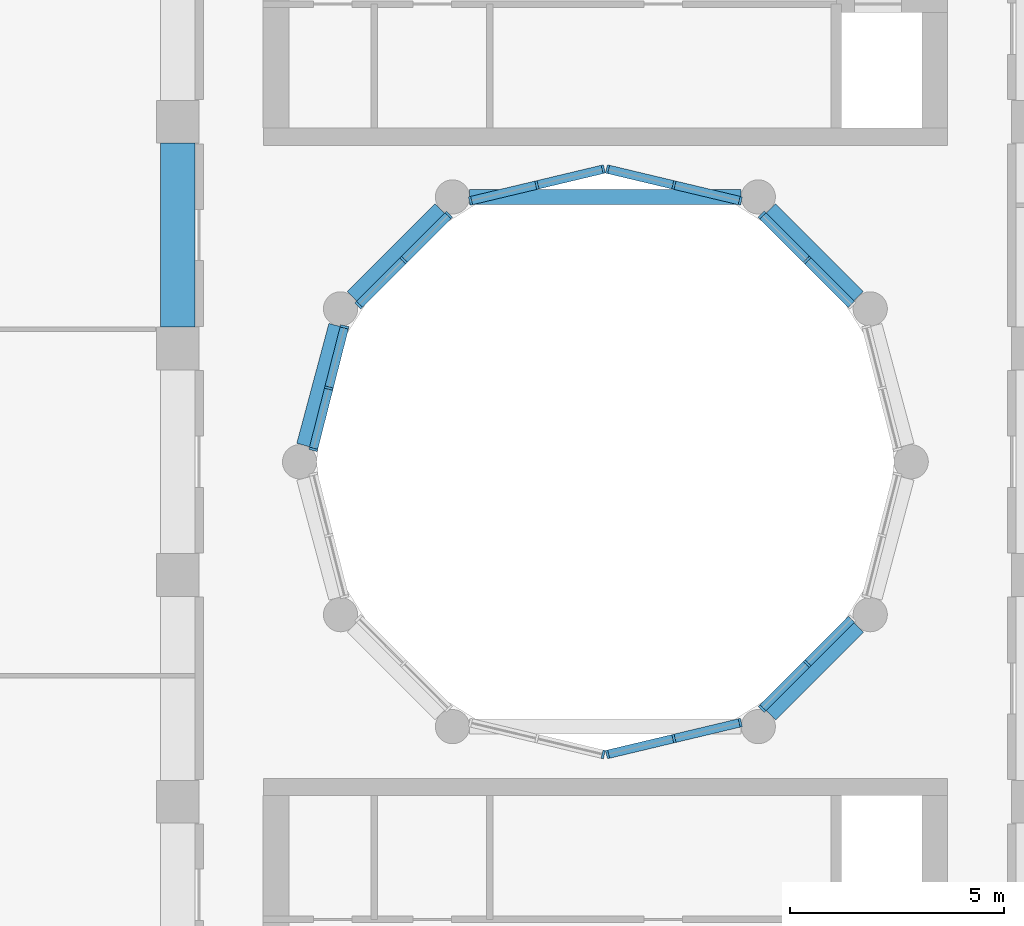
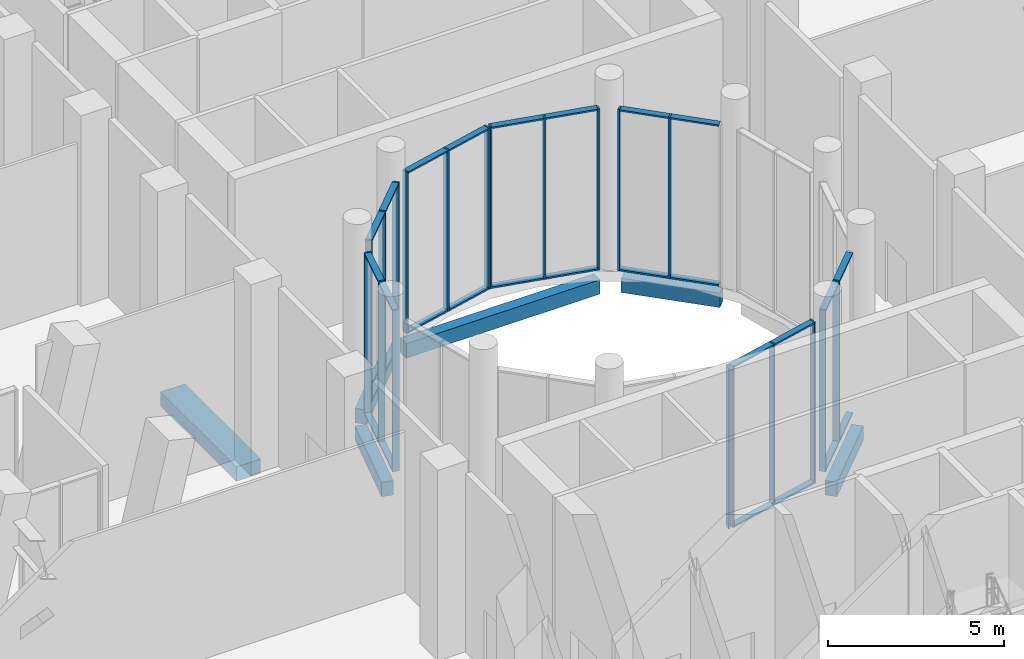
# One storey, part 3 of 19: 48 members, 6 beams, 8 elements without a shape of their own.
"""IFC4 building model written with IfcOpenShell, lengths in metres."""

from ifc_helpers import new_model, si_unit, direction, frame, origin, origin_2d, place, context, subcontext, project, spatial, rectangle, extrude, material, layer, layer_set, material_profile, profile_set, type_object, element, aggregate, save


model = new_model("IFC4")

# Units and contexts
model_context = context("Model", 3, precision=1e-05, world=origin(), true_north=direction((0.0, 1.0)))
body_context = subcontext(model_context, "Body", "Model", "MODEL_VIEW")
ifc_project = project(units=[si_unit("LENGTHUNIT", "METRE"), si_unit("AREAUNIT", "SQUARE_METRE"), si_unit("VOLUMEUNIT", "CUBIC_METRE"), si_unit("PLANEANGLEUNIT", "RADIAN"), si_unit("MASSUNIT", "GRAM", prefix="KILO")], contexts=[model_context])

# Site, building, storey
site_placement = place(None, origin())
site = spatial("IfcSite", under=ifc_project, at=site_placement, CompositionType="ELEMENT")
building_placement = place(site_placement, origin())
building = spatial("IfcBuilding", under=site, at=building_placement, Name="Nakaniwa Court", CompositionType="ELEMENT")
storey_placement = place(building_placement, frame((0.0, 0.0, 170.10009765625)))
storey = spatial("IfcBuildingStorey", under=building, at=storey_placement, Name="S3", CompositionType="ELEMENT", Elevation=170.10009765625)

# Curtain wall, members
ifc_material_1 = material(Name="Black anodised aluminium frame with dark low-E laminated double glazing", Category="aluminium")
ifc_layer = layer(ifc_material_1, 0.199951171875)
ifc_layer_set = layer_set([ifc_layer], Name="Black anodised aluminium frame with dark low-E laminated double glazing")
curtain_wall_type = type_object("IfcCurtainWallType", Name="Amenity and sky level curtain wall", PredefinedType="NOTDEFINED", material=ifc_layer_set)
curtain_wall_1_placement = place(storey_placement, origin())
curtain_wall_1 = element("IfcCurtainWall", 1, at=curtain_wall_1_placement, inside=storey, type_object=curtain_wall_type, Name="S3 curtain wall CW3 37", PredefinedType="NOTDEFINED")
ifc_material_2 = material(Name="Black anodised aluminium extrusion", Category="aluminium")
ifc_material_profile_1 = material_profile(ifc_material_2, rectangle(XDim=0.199951171875, YDim=0.054931640625, at=origin_2d()), Name="Amenity and sky level curtain wall mullion 55x200")
ifc_profile_set_1 = profile_set([ifc_material_profile_1], Name="Black anodised aluminium extrusion")
member_type_1 = type_object("IfcMemberType", Name="Amenity and sky level curtain wall mullion 55x200", PredefinedType="MULLION", material=ifc_profile_set_1)
member_1_placement = place(storey_placement, frame((84.715576171875, 75.284423828125, 0.0), z_axis=(0.0, 0.0, 1.0), x_axis=(0.707106781187, -0.707106781187, 0.0)))
member_1 = element("IfcMember", 2, at=member_1_placement, type_object=member_type_1, Name="CW3 mullion 2", PredefinedType="MULLION", context=body_context, shape_type="SweptSolid", body=[
    extrude(rectangle(XDim=0.199951171875, YDim=0.054931640625, at=origin_2d()), origin(), (0.0, 0.0, 1.0), 5.58984375),
])
member_2_placement = place(storey_placement, frame((83.66259765625, 74.2314453125, 0.0), z_axis=(0.0, 0.0, 1.0), x_axis=(0.707106781187, -0.707106781187, 0.0)))
member_2 = element("IfcMember", 3, at=member_2_placement, type_object=member_type_1, Name="CW3 mullion 3", PredefinedType="MULLION", context=body_context, shape_type="SweptSolid", body=[
    extrude(rectangle(XDim=0.199951171875, YDim=0.054931640625, at=origin_2d()), origin(), (0.0, 0.0, 1.0), 5.58984375),
])

curtain_wall_2_placement = place(storey_placement, origin())
curtain_wall_2 = element("IfcCurtainWall", 4, at=curtain_wall_2_placement, inside=storey, type_object=curtain_wall_type, Name="S3 curtain wall CW3 38", PredefinedType="NOTDEFINED")
member_3_placement = place(storey_placement, frame((83.153564453125, 73.898681640625, 0.0), z_axis=(0.0, 0.0, 1.0), x_axis=(0.231791306712, -0.972765537081, 0.0)))
member_3 = element("IfcMember", 5, at=member_3_placement, type_object=member_type_1, Name="CW3 mullion 1", PredefinedType="MULLION", context=body_context, shape_type="SweptSolid", body=[
    extrude(rectangle(XDim=0.199951171875, YDim=0.054931640625, at=origin_2d()), origin(), (0.0, 0.0, 1.0), 5.58984375),
])
member_4_placement = place(storey_placement, frame((81.601806640625, 73.52880859375, 0.0), z_axis=(0.0, 0.0, 1.0), x_axis=(0.231791306712, -0.972765537081, 0.0)))
member_4 = element("IfcMember", 6, at=member_4_placement, type_object=member_type_1, Name="CW3 mullion 2", PredefinedType="MULLION", context=body_context, shape_type="SweptSolid", body=[
    extrude(rectangle(XDim=0.199951171875, YDim=0.054931640625, at=origin_2d()), origin(), (0.0, 0.0, 1.0), 5.58984375),
])
member_5_placement = place(storey_placement, frame((80.050048828125, 73.1591796875, 0.0), z_axis=(0.0, 0.0, 1.0), x_axis=(0.231791306712, -0.972765537081, 0.0)))
member_5 = element("IfcMember", 7, at=member_5_placement, type_object=member_type_1, Name="CW3 mullion 3", PredefinedType="MULLION", context=body_context, shape_type="SweptSolid", body=[
    extrude(rectangle(XDim=0.199951171875, YDim=0.054931640625, at=origin_2d()), origin(), (0.0, 0.0, 1.0), 5.58984375),
])

# Curtain wall, member
curtain_wall_3_placement = place(storey_placement, origin())
curtain_wall_3 = element("IfcCurtainWall", 8, at=curtain_wall_3_placement, inside=storey, type_object=curtain_wall_type, Name="S3 curtain wall CW3 39", PredefinedType="NOTDEFINED")
member_6_placement = place(storey_placement, frame((79.949951171875, 73.1591796875, 0.0), z_axis=(0.0, 0.0, 1.0), x_axis=(-0.231791306712, -0.972765537081, 0.0)))
member_6 = element("IfcMember", 9, at=member_6_placement, type_object=member_type_1, Name="CW3 mullion 1", PredefinedType="MULLION", context=body_context, shape_type="SweptSolid", body=[
    extrude(rectangle(XDim=0.199951171875, YDim=0.054931640625, at=origin_2d()), origin(), (0.0, 0.0, 1.0), 5.58984375),
])
aggregate(curtain_wall_3, [member_6])

# Curtain wall, members
curtain_wall_4_placement = place(storey_placement, origin())
curtain_wall_4 = element("IfcCurtainWall", 10, at=curtain_wall_4_placement, inside=storey, type_object=curtain_wall_type, Name="S3 curtain wall CW3 42", PredefinedType="NOTDEFINED")
member_7_placement = place(storey_placement, frame((73.170654296875, 80.29052734375, 0.0), z_axis=(0.0, 0.0, 1.0), x_axis=(-0.968986463302, 0.247113807661, 0.0)))
member_7 = element("IfcMember", 11, at=member_7_placement, type_object=member_type_1, Name="CW3 mullion 1", PredefinedType="MULLION", context=body_context, shape_type="SweptSolid", body=[
    extrude(rectangle(XDim=0.199951171875, YDim=0.054931640625, at=origin_2d()), origin(), (0.0, 0.0, 1.0), 5.58984375),
])
member_8_placement = place(storey_placement, frame((73.53564453125, 81.72216796875, 0.0), z_axis=(0.0, 0.0, 1.0), x_axis=(-0.968986463302, 0.247113807661, 0.0)))
member_8 = element("IfcMember", 12, at=member_8_placement, type_object=member_type_1, Name="CW3 mullion 2", PredefinedType="MULLION", context=body_context, shape_type="SweptSolid", body=[
    extrude(rectangle(XDim=0.199951171875, YDim=0.054931640625, at=origin_2d()), origin(), (0.0, 0.0, 1.0), 5.58984375),
])
member_9_placement = place(storey_placement, frame((73.90087890625, 83.15380859375, 0.0), z_axis=(0.0, 0.0, 1.0), x_axis=(-0.968986463302, 0.247113807661, 0.0)))
member_9 = element("IfcMember", 13, at=member_9_placement, type_object=member_type_1, Name="CW3 mullion 3", PredefinedType="MULLION", context=body_context, shape_type="SweptSolid", body=[
    extrude(rectangle(XDim=0.199951171875, YDim=0.054931640625, at=origin_2d()), origin(), (0.0, 0.0, 1.0), 5.58984375),
])

curtain_wall_5_placement = place(storey_placement, origin())
curtain_wall_5 = element("IfcCurtainWall", 14, at=curtain_wall_5_placement, inside=storey, type_object=curtain_wall_type, Name="S3 curtain wall CW3 43", PredefinedType="NOTDEFINED")
member_10_placement = place(storey_placement, frame((74.2314453125, 83.66259765625, 0.0), z_axis=(0.0, 0.0, 1.0), x_axis=(-0.707106781187, 0.707106781187, 0.0)))
member_10 = element("IfcMember", 15, at=member_10_placement, type_object=member_type_1, Name="CW3 mullion 1", PredefinedType="MULLION", context=body_context, shape_type="SweptSolid", body=[
    extrude(rectangle(XDim=0.199951171875, YDim=0.054931640625, at=origin_2d()), origin(), (0.0, 0.0, 1.0), 5.58984375),
])
member_11_placement = place(storey_placement, frame((75.284423828125, 84.715576171875, 0.0), z_axis=(0.0, 0.0, 1.0), x_axis=(-0.707106781187, 0.707106781187, 0.0)))
member_11 = element("IfcMember", 16, at=member_11_placement, type_object=member_type_1, Name="CW3 mullion 2", PredefinedType="MULLION", context=body_context, shape_type="SweptSolid", body=[
    extrude(rectangle(XDim=0.199951171875, YDim=0.054931640625, at=origin_2d()), origin(), (0.0, 0.0, 1.0), 5.58984375),
])
member_12_placement = place(storey_placement, frame((76.33740234375, 85.7685546875, 0.0), z_axis=(0.0, 0.0, 1.0), x_axis=(-0.707106781187, 0.707106781187, 0.0)))
member_12 = element("IfcMember", 17, at=member_12_placement, type_object=member_type_1, Name="CW3 mullion 3", PredefinedType="MULLION", context=body_context, shape_type="SweptSolid", body=[
    extrude(rectangle(XDim=0.199951171875, YDim=0.054931640625, at=origin_2d()), origin(), (0.0, 0.0, 1.0), 5.58984375),
])

curtain_wall_6_placement = place(storey_placement, origin())
curtain_wall_6 = element("IfcCurtainWall", 18, at=curtain_wall_6_placement, inside=storey, type_object=curtain_wall_type, Name="S3 curtain wall CW3 44", PredefinedType="NOTDEFINED")
member_13_placement = place(storey_placement, frame((76.846435546875, 86.101318359375, 0.0), z_axis=(0.0, 0.0, 1.0), x_axis=(-0.231791306712, 0.972765537081, 0.0)))
member_13 = element("IfcMember", 19, at=member_13_placement, type_object=member_type_1, Name="CW3 mullion 1", PredefinedType="MULLION", context=body_context, shape_type="SweptSolid", body=[
    extrude(rectangle(XDim=0.199951171875, YDim=0.054931640625, at=origin_2d()), origin(), (0.0, 0.0, 1.0), 5.58984375),
])
member_14_placement = place(storey_placement, frame((78.398193359375, 86.47119140625, 0.0), z_axis=(0.0, 0.0, 1.0), x_axis=(-0.231791306712, 0.972765537081, 0.0)))
member_14 = element("IfcMember", 20, at=member_14_placement, type_object=member_type_1, Name="CW3 mullion 2", PredefinedType="MULLION", context=body_context, shape_type="SweptSolid", body=[
    extrude(rectangle(XDim=0.199951171875, YDim=0.054931640625, at=origin_2d()), origin(), (0.0, 0.0, 1.0), 5.58984375),
])
member_15_placement = place(storey_placement, frame((79.949951171875, 86.8408203125, 0.0), z_axis=(0.0, 0.0, 1.0), x_axis=(-0.231791306712, 0.972765537081, 0.0)))
member_15 = element("IfcMember", 21, at=member_15_placement, type_object=member_type_1, Name="CW3 mullion 3", PredefinedType="MULLION", context=body_context, shape_type="SweptSolid", body=[
    extrude(rectangle(XDim=0.199951171875, YDim=0.054931640625, at=origin_2d()), origin(), (0.0, 0.0, 1.0), 5.58984375),
])

curtain_wall_7_placement = place(storey_placement, origin())
curtain_wall_7 = element("IfcCurtainWall", 22, at=curtain_wall_7_placement, inside=storey, type_object=curtain_wall_type, Name="S3 curtain wall CW3 45", PredefinedType="NOTDEFINED")
member_16_placement = place(storey_placement, frame((80.050048828125, 86.8408203125, 0.0), z_axis=(0.0, 0.0, 1.0), x_axis=(0.231791306712, 0.972765537081, 0.0)))
member_16 = element("IfcMember", 23, at=member_16_placement, type_object=member_type_1, Name="CW3 mullion 1", PredefinedType="MULLION", context=body_context, shape_type="SweptSolid", body=[
    extrude(rectangle(XDim=0.199951171875, YDim=0.054931640625, at=origin_2d()), origin(), (0.0, 0.0, 1.0), 5.58984375),
])
member_17_placement = place(storey_placement, frame((81.601806640625, 86.47119140625, 0.0), z_axis=(0.0, 0.0, 1.0), x_axis=(0.231791306712, 0.972765537081, 0.0)))
member_17 = element("IfcMember", 24, at=member_17_placement, type_object=member_type_1, Name="CW3 mullion 2", PredefinedType="MULLION", context=body_context, shape_type="SweptSolid", body=[
    extrude(rectangle(XDim=0.199951171875, YDim=0.054931640625, at=origin_2d()), origin(), (0.0, 0.0, 1.0), 5.58984375),
])
member_18_placement = place(storey_placement, frame((83.153564453125, 86.101318359375, 0.0), z_axis=(0.0, 0.0, 1.0), x_axis=(0.231791306712, 0.972765537081, 0.0)))
member_18 = element("IfcMember", 25, at=member_18_placement, type_object=member_type_1, Name="CW3 mullion 3", PredefinedType="MULLION", context=body_context, shape_type="SweptSolid", body=[
    extrude(rectangle(XDim=0.199951171875, YDim=0.054931640625, at=origin_2d()), origin(), (0.0, 0.0, 1.0), 5.58984375),
])

curtain_wall_8_placement = place(storey_placement, origin())
curtain_wall_8 = element("IfcCurtainWall", 26, at=curtain_wall_8_placement, inside=storey, type_object=curtain_wall_type, Name="S3 curtain wall CW3 46", PredefinedType="NOTDEFINED")
member_19_placement = place(storey_placement, frame((83.66259765625, 85.7685546875, 0.0), z_axis=(0.0, 0.0, 1.0), x_axis=(0.707106781187, 0.707106781187, 0.0)))
member_19 = element("IfcMember", 27, at=member_19_placement, type_object=member_type_1, Name="CW3 mullion 1", PredefinedType="MULLION", context=body_context, shape_type="SweptSolid", body=[
    extrude(rectangle(XDim=0.199951171875, YDim=0.054931640625, at=origin_2d()), origin(), (0.0, 0.0, 1.0), 5.58984375),
])
member_20_placement = place(storey_placement, frame((84.715576171875, 84.715576171875, 0.0), z_axis=(0.0, 0.0, 1.0), x_axis=(0.707106781187, 0.707106781187, 0.0)))
member_20 = element("IfcMember", 28, at=member_20_placement, type_object=member_type_1, Name="CW3 mullion 2", PredefinedType="MULLION", context=body_context, shape_type="SweptSolid", body=[
    extrude(rectangle(XDim=0.199951171875, YDim=0.054931640625, at=origin_2d()), origin(), (0.0, 0.0, 1.0), 5.58984375),
])

# Member
ifc_material_profile_2 = material_profile(ifc_material_2, rectangle(XDim=0.199951171875, YDim=0.054931640625, at=origin_2d()), Name="Amenity and sky level curtain wall transom 55x200")
ifc_profile_set_2 = profile_set([ifc_material_profile_2], Name="Black anodised aluminium extrusion")
member_type_2 = type_object("IfcMemberType", Name="Amenity and sky level curtain wall transom 55x200", PredefinedType="USERDEFINED", material=ifc_profile_set_2)
member_21_placement = place(storey_placement, frame((85.7490234375, 76.31787109375, 0.02734375), z_axis=(-0.707106781187, -0.707106781187, 0.0), x_axis=(0.707106781187, -0.707106781187, 0.0)))
member_21 = element("IfcMember", 29, at=member_21_placement, type_object=member_type_2, Name="CW3 transom 1.1", ObjectType="TRANSOM", PredefinedType="USERDEFINED", context=body_context, shape_type="SweptSolid", body=[
    extrude(rectangle(XDim=0.199951171875, YDim=0.054931640625, at=origin_2d()), origin(), (0.0, 0.0, 1.0), 1.433837890625),
])

member_22_placement = place(storey_placement, frame((85.7490234375, 76.31787109375, 5.5625), z_axis=(-0.707106781187, -0.707106781187, 0.0), x_axis=(0.707106781187, -0.707106781187, 0.0)))
member_22 = element("IfcMember", 30, at=member_22_placement, type_object=member_type_2, Name="CW3 transom 1.2", ObjectType="TRANSOM", PredefinedType="USERDEFINED", context=body_context, shape_type="SweptSolid", body=[
    extrude(rectangle(XDim=0.199951171875, YDim=0.054931640625, at=origin_2d()), origin(), (0.0, 0.0, 1.0), 1.433837890625),
])

member_23_placement = place(storey_placement, frame((84.696044921875, 75.264892578125, 0.02734375), z_axis=(-0.707106781187, -0.707106781187, 0.0), x_axis=(0.707106781187, -0.707106781187, 0.0)))
member_23 = element("IfcMember", 31, at=member_23_placement, type_object=member_type_2, Name="CW3 transom 2.1", ObjectType="TRANSOM", PredefinedType="USERDEFINED", context=body_context, shape_type="SweptSolid", body=[
    extrude(rectangle(XDim=0.199951171875, YDim=0.054931640625, at=origin_2d()), origin(), (0.0, 0.0, 1.0), 1.433837890625),
])

member_24_placement = place(storey_placement, frame((84.696044921875, 75.264892578125, 5.5625), z_axis=(-0.707106781187, -0.707106781187, 0.0), x_axis=(0.707106781187, -0.707106781187, 0.0)))
member_24 = element("IfcMember", 32, at=member_24_placement, type_object=member_type_2, Name="CW3 transom 2.2", ObjectType="TRANSOM", PredefinedType="USERDEFINED", context=body_context, shape_type="SweptSolid", body=[
    extrude(rectangle(XDim=0.199951171875, YDim=0.054931640625, at=origin_2d()), origin(), (0.0, 0.0, 1.0), 1.433837890625),
])

aggregate(curtain_wall_1, [member_1, member_2, member_21, member_22, member_23, member_24])

member_25_placement = place(storey_placement, frame((83.126953125, 73.892333984375, 0.02734375), z_axis=(-0.972741550558, -0.231891948585, 0.0), x_axis=(0.231891948585, -0.972741550558, 0.0)))
member_25 = element("IfcMember", 33, at=member_25_placement, type_object=member_type_2, Name="CW3 transom 1.1", ObjectType="TRANSOM", PredefinedType="USERDEFINED", context=body_context, shape_type="SweptSolid", body=[
    extrude(rectangle(XDim=0.199951171875, YDim=0.054931640625, at=origin_2d()), origin(), (0.0, 0.0, 1.0), 1.540283203125),
])

member_26_placement = place(storey_placement, frame((83.126953125, 73.892333984375, 5.5625), z_axis=(-0.972741550558, -0.231891948585, 0.0), x_axis=(0.231891948585, -0.972741550558, 0.0)))
member_26 = element("IfcMember", 34, at=member_26_placement, type_object=member_type_2, Name="CW3 transom 1.2", ObjectType="TRANSOM", PredefinedType="USERDEFINED", context=body_context, shape_type="SweptSolid", body=[
    extrude(rectangle(XDim=0.199951171875, YDim=0.054931640625, at=origin_2d()), origin(), (0.0, 0.0, 1.0), 1.540283203125),
])

member_27_placement = place(storey_placement, frame((81.574951171875, 73.5224609375, 0.02734375), z_axis=(-0.972777294296, -0.231741959306, 0.0), x_axis=(0.231741959306, -0.972777294296, 0.0)))
member_27 = element("IfcMember", 35, at=member_27_placement, type_object=member_type_2, Name="CW3 transom 2.1", ObjectType="TRANSOM", PredefinedType="USERDEFINED", context=body_context, shape_type="SweptSolid", body=[
    extrude(rectangle(XDim=0.199951171875, YDim=0.054931640625, at=origin_2d()), origin(), (0.0, 0.0, 1.0), 1.540283203125),
])

member_28_placement = place(storey_placement, frame((81.574951171875, 73.5224609375, 5.5625), z_axis=(-0.972777294296, -0.231741959306, 0.0), x_axis=(0.231741959306, -0.972777294296, 0.0)))
member_28 = element("IfcMember", 36, at=member_28_placement, type_object=member_type_2, Name="CW3 transom 2.2", ObjectType="TRANSOM", PredefinedType="USERDEFINED", context=body_context, shape_type="SweptSolid", body=[
    extrude(rectangle(XDim=0.199951171875, YDim=0.054931640625, at=origin_2d()), origin(), (0.0, 0.0, 1.0), 1.540283203125),
])

aggregate(curtain_wall_2, [member_3, member_4, member_5, member_25, member_26, member_27, member_28])

member_29_placement = place(storey_placement, frame((73.177490234375, 80.317138671875, 0.02734375), z_axis=(0.24697526524, 0.969021784255, 0.0), x_axis=(-0.969021784255, 0.24697526524, 0.0)))
member_29 = element("IfcMember", 37, at=member_29_placement, type_object=member_type_2, Name="CW3 transom 1.1", ObjectType="TRANSOM", PredefinedType="USERDEFINED", context=body_context, shape_type="SweptSolid", body=[
    extrude(rectangle(XDim=0.199951171875, YDim=0.054931640625, at=origin_2d()), origin(), (0.0, 0.0, 1.0), 1.42236328125),
])

member_30_placement = place(storey_placement, frame((73.177490234375, 80.317138671875, 5.5625), z_axis=(0.24697526524, 0.969021784255, 0.0), x_axis=(-0.969021784255, 0.24697526524, 0.0)))
member_30 = element("IfcMember", 38, at=member_30_placement, type_object=member_type_2, Name="CW3 transom 1.2", ObjectType="TRANSOM", PredefinedType="USERDEFINED", context=body_context, shape_type="SweptSolid", body=[
    extrude(rectangle(XDim=0.199951171875, YDim=0.054931640625, at=origin_2d()), origin(), (0.0, 0.0, 1.0), 1.42236328125),
])

member_31_placement = place(storey_placement, frame((73.54248046875, 81.748779296875, 0.02734375), z_axis=(0.247136415914, 0.968980697398, 0.0), x_axis=(-0.968980697398, 0.247136415914, 0.0)))
member_31 = element("IfcMember", 39, at=member_31_placement, type_object=member_type_2, Name="CW3 transom 2.1", ObjectType="TRANSOM", PredefinedType="USERDEFINED", context=body_context, shape_type="SweptSolid", body=[
    extrude(rectangle(XDim=0.199951171875, YDim=0.054931640625, at=origin_2d()), origin(), (0.0, 0.0, 1.0), 1.422607421875),
])

member_32_placement = place(storey_placement, frame((73.54248046875, 81.748779296875, 5.5625), z_axis=(0.247136415914, 0.968980697398, 0.0), x_axis=(-0.968980697398, 0.247136415914, 0.0)))
member_32 = element("IfcMember", 40, at=member_32_placement, type_object=member_type_2, Name="CW3 transom 2.2", ObjectType="TRANSOM", PredefinedType="USERDEFINED", context=body_context, shape_type="SweptSolid", body=[
    extrude(rectangle(XDim=0.199951171875, YDim=0.054931640625, at=origin_2d()), origin(), (0.0, 0.0, 1.0), 1.422607421875),
])

aggregate(curtain_wall_4, [member_7, member_8, member_9, member_29, member_30, member_31, member_32])

member_33_placement = place(storey_placement, frame((74.2509765625, 83.68212890625, 0.02734375), z_axis=(0.707106781187, 0.707106781187, 0.0), x_axis=(-0.707106781187, 0.707106781187, 0.0)))
member_33 = element("IfcMember", 41, at=member_33_placement, type_object=member_type_2, Name="CW3 transom 1.1", ObjectType="TRANSOM", PredefinedType="USERDEFINED", context=body_context, shape_type="SweptSolid", body=[
    extrude(rectangle(XDim=0.199951171875, YDim=0.054931640625, at=origin_2d()), origin(), (0.0, 0.0, 1.0), 1.433837890625),
])

member_34_placement = place(storey_placement, frame((74.2509765625, 83.68212890625, 5.5625), z_axis=(0.707106781187, 0.707106781187, 0.0), x_axis=(-0.707106781187, 0.707106781187, 0.0)))
member_34 = element("IfcMember", 42, at=member_34_placement, type_object=member_type_2, Name="CW3 transom 1.2", ObjectType="TRANSOM", PredefinedType="USERDEFINED", context=body_context, shape_type="SweptSolid", body=[
    extrude(rectangle(XDim=0.199951171875, YDim=0.054931640625, at=origin_2d()), origin(), (0.0, 0.0, 1.0), 1.433837890625),
])

member_35_placement = place(storey_placement, frame((75.303955078125, 84.735107421875, 0.02734375), z_axis=(0.707106781187, 0.707106781187, 0.0), x_axis=(-0.707106781187, 0.707106781187, 0.0)))
member_35 = element("IfcMember", 43, at=member_35_placement, type_object=member_type_2, Name="CW3 transom 2.1", ObjectType="TRANSOM", PredefinedType="USERDEFINED", context=body_context, shape_type="SweptSolid", body=[
    extrude(rectangle(XDim=0.199951171875, YDim=0.054931640625, at=origin_2d()), origin(), (0.0, 0.0, 1.0), 1.433837890625),
])

member_36_placement = place(storey_placement, frame((75.303955078125, 84.735107421875, 5.5625), z_axis=(0.707106781187, 0.707106781187, 0.0), x_axis=(-0.707106781187, 0.707106781187, 0.0)))
member_36 = element("IfcMember", 44, at=member_36_placement, type_object=member_type_2, Name="CW3 transom 2.2", ObjectType="TRANSOM", PredefinedType="USERDEFINED", context=body_context, shape_type="SweptSolid", body=[
    extrude(rectangle(XDim=0.199951171875, YDim=0.054931640625, at=origin_2d()), origin(), (0.0, 0.0, 1.0), 1.433837890625),
])

aggregate(curtain_wall_5, [member_10, member_11, member_12, member_33, member_34, member_35, member_36])

member_37_placement = place(storey_placement, frame((76.873046875, 86.107666015625, 0.02734375), z_axis=(0.972741550558, 0.231891948585, 0.0), x_axis=(-0.231891948585, 0.972741550558, 0.0)))
member_37 = element("IfcMember", 45, at=member_37_placement, type_object=member_type_2, Name="CW3 transom 1.1", ObjectType="TRANSOM", PredefinedType="USERDEFINED", context=body_context, shape_type="SweptSolid", body=[
    extrude(rectangle(XDim=0.199951171875, YDim=0.054931640625, at=origin_2d()), origin(), (0.0, 0.0, 1.0), 1.540283203125),
])

member_38_placement = place(storey_placement, frame((76.873046875, 86.107666015625, 5.5625), z_axis=(0.972741550558, 0.231891948585, 0.0), x_axis=(-0.231891948585, 0.972741550558, 0.0)))
member_38 = element("IfcMember", 46, at=member_38_placement, type_object=member_type_2, Name="CW3 transom 1.2", ObjectType="TRANSOM", PredefinedType="USERDEFINED", context=body_context, shape_type="SweptSolid", body=[
    extrude(rectangle(XDim=0.199951171875, YDim=0.054931640625, at=origin_2d()), origin(), (0.0, 0.0, 1.0), 1.540283203125),
])

member_39_placement = place(storey_placement, frame((78.425048828125, 86.4775390625, 0.02734375), z_axis=(0.972777294296, 0.231741959306, 0.0), x_axis=(-0.231741959306, 0.972777294296, 0.0)))
member_39 = element("IfcMember", 47, at=member_39_placement, type_object=member_type_2, Name="CW3 transom 2.1", ObjectType="TRANSOM", PredefinedType="USERDEFINED", context=body_context, shape_type="SweptSolid", body=[
    extrude(rectangle(XDim=0.199951171875, YDim=0.054931640625, at=origin_2d()), origin(), (0.0, 0.0, 1.0), 1.540283203125),
])

member_40_placement = place(storey_placement, frame((78.425048828125, 86.4775390625, 5.5625), z_axis=(0.972777294296, 0.231741959306, 0.0), x_axis=(-0.231741959306, 0.972777294296, 0.0)))
member_40 = element("IfcMember", 48, at=member_40_placement, type_object=member_type_2, Name="CW3 transom 2.2", ObjectType="TRANSOM", PredefinedType="USERDEFINED", context=body_context, shape_type="SweptSolid", body=[
    extrude(rectangle(XDim=0.199951171875, YDim=0.054931640625, at=origin_2d()), origin(), (0.0, 0.0, 1.0), 1.540283203125),
])

aggregate(curtain_wall_6, [member_13, member_14, member_15, member_37, member_38, member_39, member_40])

member_41_placement = place(storey_placement, frame((80.07666015625, 86.83447265625, 0.02734375), z_axis=(0.972777294296, -0.231741959306, 0.0), x_axis=(0.231741959306, 0.972777294296, 0.0)))
member_41 = element("IfcMember", 49, at=member_41_placement, type_object=member_type_2, Name="CW3 transom 1.1", ObjectType="TRANSOM", PredefinedType="USERDEFINED", context=body_context, shape_type="SweptSolid", body=[
    extrude(rectangle(XDim=0.199951171875, YDim=0.054931640625, at=origin_2d()), origin(), (0.0, 0.0, 1.0), 1.540283203125),
])

member_42_placement = place(storey_placement, frame((80.07666015625, 86.83447265625, 5.5625), z_axis=(0.972777294296, -0.231741959306, 0.0), x_axis=(0.231741959306, 0.972777294296, 0.0)))
member_42 = element("IfcMember", 50, at=member_42_placement, type_object=member_type_2, Name="CW3 transom 1.2", ObjectType="TRANSOM", PredefinedType="USERDEFINED", context=body_context, shape_type="SweptSolid", body=[
    extrude(rectangle(XDim=0.199951171875, YDim=0.054931640625, at=origin_2d()), origin(), (0.0, 0.0, 1.0), 1.540283203125),
])

member_43_placement = place(storey_placement, frame((81.628662109375, 86.46484375, 0.02734375), z_axis=(0.972741550558, -0.231891948585, 0.0), x_axis=(0.231891948585, 0.972741550558, 0.0)))
member_43 = element("IfcMember", 51, at=member_43_placement, type_object=member_type_2, Name="CW3 transom 2.1", ObjectType="TRANSOM", PredefinedType="USERDEFINED", context=body_context, shape_type="SweptSolid", body=[
    extrude(rectangle(XDim=0.199951171875, YDim=0.054931640625, at=origin_2d()), origin(), (0.0, 0.0, 1.0), 1.540283203125),
])

member_44_placement = place(storey_placement, frame((81.628662109375, 86.46484375, 5.5625), z_axis=(0.972741550558, -0.231891948585, 0.0), x_axis=(0.231891948585, 0.972741550558, 0.0)))
member_44 = element("IfcMember", 52, at=member_44_placement, type_object=member_type_2, Name="CW3 transom 2.2", ObjectType="TRANSOM", PredefinedType="USERDEFINED", context=body_context, shape_type="SweptSolid", body=[
    extrude(rectangle(XDim=0.199951171875, YDim=0.054931640625, at=origin_2d()), origin(), (0.0, 0.0, 1.0), 1.540283203125),
])

aggregate(curtain_wall_7, [member_16, member_17, member_18, member_41, member_42, member_43, member_44])

member_45_placement = place(storey_placement, frame((83.68212890625, 85.7490234375, 0.02734375), z_axis=(0.707106781187, -0.707106781187, 0.0), x_axis=(0.707106781187, 0.707106781187, 0.0)))
member_45 = element("IfcMember", 53, at=member_45_placement, type_object=member_type_2, Name="CW3 transom 1.1", ObjectType="TRANSOM", PredefinedType="USERDEFINED", context=body_context, shape_type="SweptSolid", body=[
    extrude(rectangle(XDim=0.199951171875, YDim=0.054931640625, at=origin_2d()), origin(), (0.0, 0.0, 1.0), 1.433837890625),
])

member_46_placement = place(storey_placement, frame((83.68212890625, 85.7490234375, 5.5625), z_axis=(0.707106781187, -0.707106781187, 0.0), x_axis=(0.707106781187, 0.707106781187, 0.0)))
member_46 = element("IfcMember", 54, at=member_46_placement, type_object=member_type_2, Name="CW3 transom 1.2", ObjectType="TRANSOM", PredefinedType="USERDEFINED", context=body_context, shape_type="SweptSolid", body=[
    extrude(rectangle(XDim=0.199951171875, YDim=0.054931640625, at=origin_2d()), origin(), (0.0, 0.0, 1.0), 1.433837890625),
])

member_47_placement = place(storey_placement, frame((84.735107421875, 84.696044921875, 0.02734375), z_axis=(0.707106781187, -0.707106781187, 0.0), x_axis=(0.707106781187, 0.707106781187, 0.0)))
member_47 = element("IfcMember", 55, at=member_47_placement, type_object=member_type_2, Name="CW3 transom 2.1", ObjectType="TRANSOM", PredefinedType="USERDEFINED", context=body_context, shape_type="SweptSolid", body=[
    extrude(rectangle(XDim=0.199951171875, YDim=0.054931640625, at=origin_2d()), origin(), (0.0, 0.0, 1.0), 1.433837890625),
])

member_48_placement = place(storey_placement, frame((84.735107421875, 84.696044921875, 5.5625), z_axis=(0.707106781187, -0.707106781187, 0.0), x_axis=(0.707106781187, 0.707106781187, 0.0)))
member_48 = element("IfcMember", 56, at=member_48_placement, type_object=member_type_2, Name="CW3 transom 2.2", ObjectType="TRANSOM", PredefinedType="USERDEFINED", context=body_context, shape_type="SweptSolid", body=[
    extrude(rectangle(XDim=0.199951171875, YDim=0.054931640625, at=origin_2d()), origin(), (0.0, 0.0, 1.0), 1.433837890625),
])

aggregate(curtain_wall_8, [member_19, member_20, member_45, member_46, member_47, member_48])

# Beams
ifc_material_3 = material(Name="Concrete C80/100", Category="concrete")
ifc_material_profile_3 = material_profile(ifc_material_3, rectangle(XDim=0.35009765625, YDim=0.5, at=origin_2d()), Name="Concrete C80/100 RC 350x500 ring beam")
ifc_profile_set_3 = profile_set([ifc_material_profile_3], Name="Concrete C80/100")
beam_type_1 = type_object("IfcBeamType", Name="Concrete C80/100 RC 350x500 ring beam", PredefinedType="BEAM", material=ifc_profile_set_3)
beam_1_placement = place(storey_placement, frame((85.9091796875, 83.85791015625, -0.60009765625), z_axis=(-0.707106781187, 0.707106781187, 0.0), x_axis=(-0.707106781187, -0.707106781187, 0.0)))
element("IfcBeam", 57, at=beam_1_placement, inside=storey, type_object=beam_type_1, Name="RING BEAM", PredefinedType="BEAM", context=body_context, shape_type="SweptSolid", body=[
    extrude(rectangle(XDim=0.35009765625, YDim=0.5, at=origin_2d()), origin(), (0.0, 0.0, 1.0), 2.90087890625),
])
beam_2_placement = place(storey_placement, frame((83.175048828125, 86.192138671875, -0.60009765625), z_axis=(-1.0, 0.0, 0.0), x_axis=(0.0, -1.0, 0.0)))
element("IfcBeam", 58, at=beam_2_placement, inside=storey, type_object=beam_type_1, Name="RING BEAM", PredefinedType="BEAM", context=body_context, shape_type="SweptSolid", body=[
    extrude(rectangle(XDim=0.35009765625, YDim=0.5, at=origin_2d()), origin(), (0.0, 0.0, 1.0), 6.35009765625),
])
beam_3_placement = place(storey_placement, frame((76.14208984375, 85.9091796875, -0.60009765625), z_axis=(-0.707106781187, -0.707106781187, 0.0), x_axis=(0.707106781187, -0.707106781187, 0.0)))
element("IfcBeam", 59, at=beam_3_placement, inside=storey, type_object=beam_type_1, Name="RING BEAM", PredefinedType="BEAM", context=body_context, shape_type="SweptSolid", body=[
    extrude(rectangle(XDim=0.35009765625, YDim=0.5, at=origin_2d()), origin(), (0.0, 0.0, 1.0), 2.90087890625),
])
beam_4_placement = place(storey_placement, frame((73.704345703125, 83.188720703125, -0.60009765625), z_axis=(-0.258778150207, -0.965936783115, 0.0), x_axis=(0.965936783115, -0.258778150207, 0.0)))
element("IfcBeam", 60, at=beam_4_placement, inside=storey, type_object=beam_type_1, Name="RING BEAM", PredefinedType="BEAM", context=body_context, shape_type="SweptSolid", body=[
    extrude(rectangle(XDim=0.35009765625, YDim=0.5, at=origin_2d()), origin(), (0.0, 0.0, 1.0), 2.901123046875),
])
beam_5_placement = place(storey_placement, frame((83.85791015625, 74.0908203125, -0.60009765625), z_axis=(0.707106781187, 0.707106781187, 0.0), x_axis=(-0.707106781187, 0.707106781187, 0.0)))
element("IfcBeam", 61, at=beam_5_placement, inside=storey, type_object=beam_type_1, Name="RING BEAM", PredefinedType="BEAM", context=body_context, shape_type="SweptSolid", body=[
    extrude(rectangle(XDim=0.35009765625, YDim=0.5, at=origin_2d()), origin(), (0.0, 0.0, 1.0), 2.90087890625),
])
ifc_material_profile_4 = material_profile(ifc_material_3, rectangle(XDim=0.800048828125, YDim=0.5, at=origin_2d()), Name="Concrete C80/100 RC 800x500 ring beam")
ifc_profile_set_4 = profile_set([ifc_material_profile_4], Name="Concrete C80/100")
beam_type_2 = type_object("IfcBeamType", Name="Concrete C80/100 RC 800x500 ring beam", PredefinedType="BEAM", material=ifc_profile_set_4)
beam_6_placement = place(storey_placement, frame((70.0, 87.449951171875, -0.60009765625), z_axis=(0.0, -1.0, 0.0), x_axis=(1.0, 0.0, 0.0)))
element("IfcBeam", 62, at=beam_6_placement, inside=storey, type_object=beam_type_2, Name="RING BEAM", PredefinedType="BEAM", context=body_context, shape_type="SweptSolid", body=[
    extrude(rectangle(XDim=0.800048828125, YDim=0.5, at=origin_2d()), origin(), (0.0, 0.0, 1.0), 4.300048828125),
])

save(model, "model.ifc")
